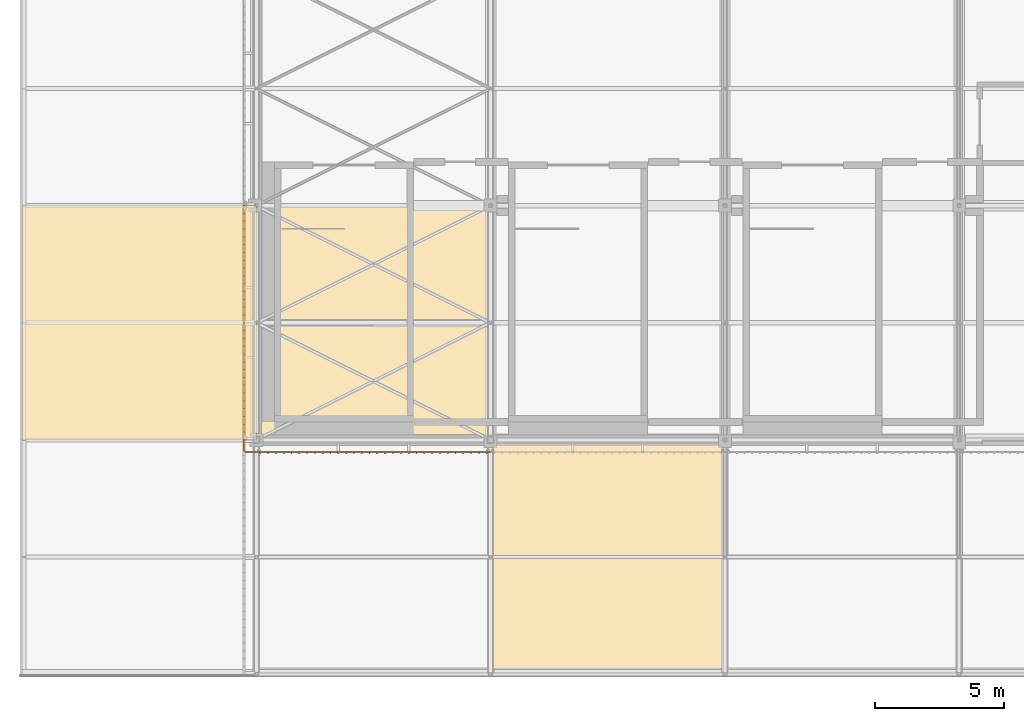
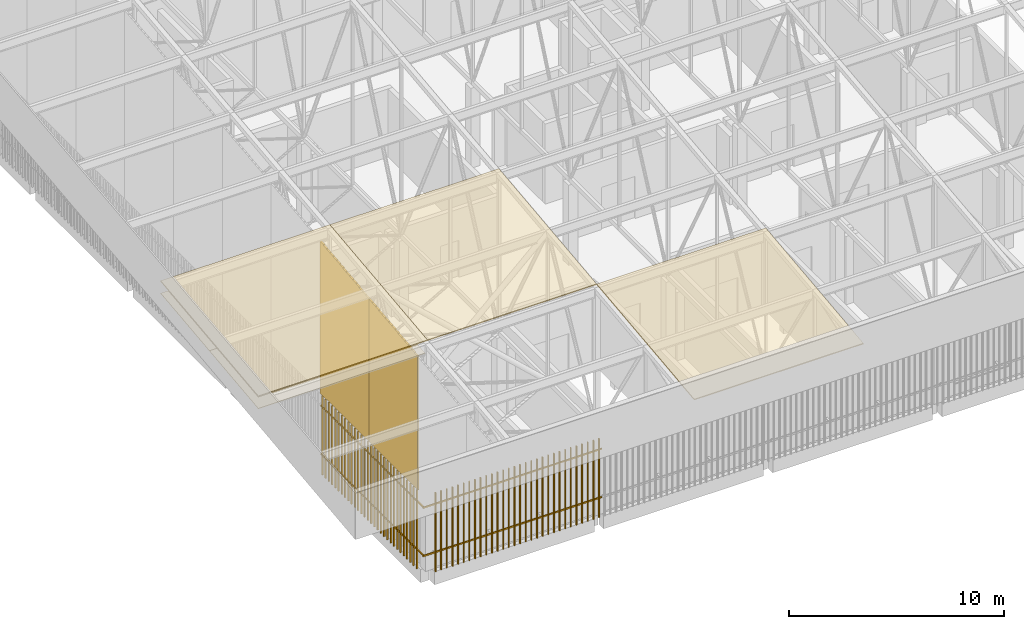
# One storey, part 456 of 500: 5 coverings, 4 shading devices.
"""IFC4 building model written with IfcOpenShell, lengths in metres."""

from ifc_helpers import new_model, si_unit, direction, frame, origin, origin_2d, place, context, subcontext, project, spatial, polyline, rectangle, outline, extrude, material, layer, layer_set, type_object, element, save


model = new_model("IFC4")

# Units and contexts
model_context = context("Model", 3, precision=1e-05, world=origin(), true_north=direction((0.0, 1.0)))
body_context = subcontext(model_context, "Body", "Model", "MODEL_VIEW")
ifc_project = project(units=[si_unit("LENGTHUNIT", "METRE"), si_unit("AREAUNIT", "SQUARE_METRE"), si_unit("VOLUMEUNIT", "CUBIC_METRE"), si_unit("PLANEANGLEUNIT", "RADIAN"), si_unit("MASSUNIT", "GRAM", prefix="KILO")], contexts=[model_context])

# Site, building, storey
site_placement = place(None, origin())
site = spatial("IfcSite", under=ifc_project, at=site_placement, CompositionType="ELEMENT")
building_placement = place(site_placement, origin())
building = spatial("IfcBuilding", under=site, at=building_placement, Name="Shirokan Park Arena", CompositionType="ELEMENT")
storey_placement = place(building_placement, frame((0.0, 0.0, 29.1201171875)))
storey = spatial("IfcBuildingStorey", under=building, at=storey_placement, Name="L06", CompositionType="ELEMENT", Elevation=29.1201171875)

# Coverings
ifc_material_1 = material(Name="Bituminous roofing membrane")
ifc_layer_1 = layer(ifc_material_1, 0.010009765625, Name="Bituminous roofing membrane")
ifc_material_2 = material(Name="Mineral wool insulation")
ifc_layer_2 = layer(ifc_material_2, 0.050048828125, Name="Mineral wool insulation")
ifc_layer_set_1 = layer_set([ifc_layer_1, ifc_layer_2], Name="Bituminous roofing membrane + Mineral wool insulation")
covering_type_1 = type_object("IfcCoveringType", Name="Roofing membrane 60", PredefinedType="ROOFING", material=ifc_layer_set_1)
for number, where, z_axis, x_axis, name in (
    (1, (-9.10009765625, 0.0, 12.9306640625), (0.0, -0.113549598152, 0.993532328996), (1.0, 0.0, 0.0), "Roofing"),
    (2, (0.0, 0.0, 12.9306640625), (0.0, -0.113549598152, 0.993532328996), (1.0, 0.0, 0.0), "Roofing"),
):
    element("IfcCovering", number, at=place(storey_placement, frame(where, z_axis=z_axis, x_axis=x_axis)), inside=storey, type_object=covering_type_1, Name=name, PredefinedType="ROOFING", context=body_context, shape_type="SweptSolid", body=[
        extrude(outline(polyline([(0.0, 0.0), (9.10009765625, 0.0), (9.10009765625, 9.15933723611117), (0.0, 9.15933723611117), (0.0, 0.0)])), origin(), (0.0, 0.0, -1.0), 0.06005859375),
    ])
covering_1_placement = place(storey_placement, frame((9.10009765625, -9.10009765625, 11.890625), z_axis=(0.0, -0.113549598152, 0.993532328996), x_axis=(1.0, 0.0, 0.0)))
element("IfcCovering", 3, at=covering_1_placement, inside=storey, type_object=covering_type_1, Name="Roofing", PredefinedType="ROOFING", context=body_context, shape_type="SweptSolid", body=[
    extrude(outline(polyline([(0.0, 0.0), (9.099853515625, 0.0), (9.099853515625, 9.15933723611117), (0.0, 9.15933723611117), (0.0, 0.0)])), origin(), (0.0, 0.0, -1.0), 0.06005859375),
])
ifc_material_3 = material(Name="Timber soffit boards (cedar)", Category="wood")
ifc_layer_3 = layer(ifc_material_3, 0.030029296875)
ifc_layer_set_2 = layer_set([ifc_layer_3], Name="Timber soffit boards (cedar) 30 mm")
covering_type_2 = type_object("IfcCoveringType", Name="Timber boarded soffit panel", PredefinedType="CLADDING", material=ifc_layer_set_2)
covering_2_placement = place(storey_placement, origin())
element("IfcCovering", 4, at=covering_2_placement, inside=storey, type_object=covering_type_2, Name="Rake soffit west bay 3", PredefinedType="CLADDING", context=body_context, shape_type="SweptSolid", body=[
    extrude(outline(polyline([(0.0, 0.0), (0.11999999999999922, 0.0), (0.11999999999999922, -4.57961788799022), (0.0, -4.57961788799022), (0.0, 0.0)])), frame((-8.97998046875, 0.0, 12.221923828125), z_axis=(0.0, -0.113546591161, 0.993532672656), x_axis=(-1.0, 0.0, 0.0)), (0.0, 0.0, -1.0), 0.030029296875),
    extrude(outline(polyline([(0.0, 0.0), (0.12, 0.0), (0.12, -4.579617887990221), (0.0, -4.579617887990221), (0.0, 0.0)])), frame((-0.2470703125, 4.550048828125, 12.741943359375), z_axis=(0.0, -0.113546591161, 0.993532672656), x_axis=(1.0, 0.0, 0.0)), (0.0, 0.0, -1.0), 0.030029296875),
    extrude(outline(polyline([(0.0, 0.0), (0.12078064455863825, 0.0), (0.12078064455863825, -8.732999999999999), (0.0, -8.732999999999999), (0.0, 0.0)])), frame((-0.2470703125, 4.550048828125, 12.741943359375), z_axis=(0.0, -0.11351156512, 0.993536675007), x_axis=(0.0, -0.993536675007, -0.11351156512)), (0.0, 0.0, -1.0), 0.030029296875),
    extrude(outline(polyline([(0.0, 0.0), (0.12078064455863816, 0.0), (0.12078064455863816, -8.733), (0.0, -8.733), (0.0, 0.0)])), frame((-8.97998046875, 0.0, 12.221923828125), z_axis=(0.0, -0.11351156512, 0.993536675007), x_axis=(0.0, 0.993536675007, 0.11351156512)), (0.0, 0.0, -1.0), 0.030029296875),
    extrude(outline(polyline([(0.0, 0.0), (8.733, 0.0), (8.733, -0.18452428160001005), (0.0, -0.18452428160001005), (0.0, 0.0)])), frame((-8.97998046875, 0.30322265625, 12.256591796875), z_axis=(0.0, -0.113589386818, 0.99352778079), x_axis=(1.0, 0.0, 0.0)), (0.0, 0.0, -1.0), 0.030029296875),
    extrude(outline(polyline([(0.0, 0.0), (8.733, 0.0), (8.733, -0.30531372586243183), (0.0, -0.30531372586243183), (0.0, 0.0)])), frame((-8.97998046875, 0.606689453125, 12.291259765625), z_axis=(0.0, -0.113522573877, 0.993535417195), x_axis=(1.0, 0.0, 0.0)), (0.0, 0.0, -1.0), 0.030029296875),
    extrude(outline(polyline([(0.0, 0.0), (8.733, 0.0), (8.733, -0.3053049259347118), (0.0, -0.3053049259347118), (0.0, 0.0)])), frame((-8.97998046875, 0.909912109375, 12.325927734375), z_axis=(0.0, -0.113558600124, 0.99353130013), x_axis=(1.0, 0.0, 0.0)), (0.0, 0.0, -1.0), 0.030029296875),
    extrude(outline(polyline([(0.0, 0.0), (8.733, 0.0), (8.733, -0.30530492593471265), (0.0, -0.30530492593471265), (0.0, 0.0)])), frame((-8.97998046875, 1.21337890625, 12.360595703125), z_axis=(0.0, -0.113558600124, 0.99353130013), x_axis=(1.0, 0.0, 0.0)), (0.0, 0.0, -1.0), 0.030029296875),
    extrude(outline(polyline([(0.0, 0.0), (8.733, 0.0), (8.733, -0.30531372586243094), (0.0, -0.30531372586243094), (0.0, 0.0)])), frame((-8.97998046875, 1.5166015625, 12.395263671875), z_axis=(0.0, -0.113522573877, 0.993535417195), x_axis=(1.0, 0.0, 0.0)), (0.0, 0.0, -1.0), 0.030029296875),
    extrude(outline(polyline([(0.0, 0.0), (8.733, 0.0), (8.733, -0.3053049259347119), (0.0, -0.3053049259347119), (0.0, 0.0)])), frame((-8.97998046875, 1.820068359375, 12.429931640625), z_axis=(0.0, -0.113558600124, 0.99353130013), x_axis=(1.0, 0.0, 0.0)), (0.0, 0.0, -1.0), 0.030029296875),
    extrude(outline(polyline([(0.0, 0.0), (8.733, 0.0), (8.733, -0.30530492593471276), (0.0, -0.30530492593471276), (0.0, 0.0)])), frame((-8.97998046875, 2.123291015625, 12.464599609375), z_axis=(0.0, -0.113558600124, 0.99353130013), x_axis=(1.0, 0.0, 0.0)), (0.0, 0.0, -1.0), 0.030029296875),
    extrude(outline(polyline([(0.0, 0.0), (8.733, 0.0), (8.733, -0.30531372586243094), (0.0, -0.30531372586243094), (0.0, 0.0)])), frame((-8.97998046875, 2.4267578125, 12.499267578125), z_axis=(0.0, -0.113522573877, 0.993535417195), x_axis=(1.0, 0.0, 0.0)), (0.0, 0.0, -1.0), 0.030029296875),
    extrude(outline(polyline([(0.0, 0.0), (8.733, 0.0), (8.733, -0.30530492593471253), (0.0, -0.30530492593471253), (0.0, 0.0)])), frame((-8.97998046875, 2.72998046875, 12.533935546875), z_axis=(0.0, -0.113558600124, 0.99353130013), x_axis=(1.0, 0.0, 0.0)), (0.0, 0.0, -1.0), 0.030029296875),
    extrude(outline(polyline([(0.0, 0.0), (8.733, 0.0), (8.733, -0.3053049259347117), (0.0, -0.3053049259347117), (0.0, 0.0)])), frame((-8.97998046875, 3.033447265625, 12.568603515625), z_axis=(0.0, -0.113558600124, 0.99353130013), x_axis=(1.0, 0.0, 0.0)), (0.0, 0.0, -1.0), 0.030029296875),
    extrude(outline(polyline([(0.0, 0.0), (8.733, 0.0), (8.733, -0.30531372586243094), (0.0, -0.30531372586243094), (0.0, 0.0)])), frame((-8.97998046875, 3.336669921875, 12.603271484375), z_axis=(0.0, -0.113522573877, 0.993535417195), x_axis=(1.0, 0.0, 0.0)), (0.0, 0.0, -1.0), 0.030029296875),
    extrude(outline(polyline([(0.0, 0.0), (8.733, 0.0), (8.733, -0.305304925934713), (0.0, -0.305304925934713), (0.0, 0.0)])), frame((-8.97998046875, 3.639892578125, 12.637939453125), z_axis=(0.0, -0.113558600124, 0.99353130013), x_axis=(1.0, 0.0, 0.0)), (0.0, 0.0, -1.0), 0.030029296875),
    extrude(outline(polyline([(0.0, 0.0), (8.733, 0.0), (8.733, -0.3053049259347117), (0.0, -0.3053049259347117), (0.0, 0.0)])), frame((-8.97998046875, 3.943359375, 12.672607421875), z_axis=(0.0, -0.113558600124, 0.99353130013), x_axis=(1.0, 0.0, 0.0)), (0.0, 0.0, -1.0), 0.030029296875),
    extrude(outline(polyline([(0.0, 0.0), (8.733, 0.0), (8.733, -0.3053137258624317), (0.0, -0.3053137258624317), (0.0, 0.0)])), frame((-8.97998046875, 4.24658203125, 12.707275390625), z_axis=(0.0, -0.113522573877, 0.993535417195), x_axis=(1.0, 0.0, 0.0)), (0.0, 0.0, -1.0), 0.030029296875),
    extrude(outline(polyline([(0.0, 0.0), (8.733, 0.0), (8.733, -0.1845242816000098), (0.0, -0.1845242816000098), (0.0, 0.0)])), frame((-8.97998046875, 4.429931640625, 12.728271484375), z_axis=(0.0, -0.113589386818, 0.99352778079), x_axis=(1.0, 0.0, 0.0)), (0.0, 0.0, -1.0), 0.030029296875),
])
covering_3_placement = place(storey_placement, origin())
element("IfcCovering", 5, at=covering_3_placement, inside=storey, type_object=covering_type_2, Name="Rake soffit west bay 4", PredefinedType="CLADDING", context=body_context, shape_type="SweptSolid", body=[
    extrude(outline(polyline([(0.0, 0.0), (0.11999999999999922, 0.0), (0.11999999999999922, -4.579617887990218), (0.0, -4.579617887990218), (0.0, 0.0)])), frame((-8.97998046875, 4.550048828125, 12.741943359375), z_axis=(0.0, -0.113546591161, 0.993532672656), x_axis=(-1.0, 0.0, 0.0)), (0.0, 0.0, -1.0), 0.030029296875),
    extrude(outline(polyline([(0.0, 0.0), (0.12, 0.0), (0.12, -4.579617887990219), (0.0, -4.579617887990219), (0.0, 0.0)])), frame((-0.2470703125, 9.10009765625, 13.261962890625), z_axis=(0.0, -0.113546591161, 0.993532672656), x_axis=(1.0, 0.0, 0.0)), (0.0, 0.0, -1.0), 0.030029296875),
    extrude(outline(polyline([(0.0, 0.0), (0.12078064455863657, 0.0), (0.12078064455863657, -8.733), (0.0, -8.733), (0.0, 0.0)])), frame((-0.2470703125, 9.10009765625, 13.261962890625), z_axis=(0.0, -0.11351156512, 0.993536675007), x_axis=(0.0, -0.993536675007, -0.11351156512)), (0.0, 0.0, -1.0), 0.030029296875),
    extrude(outline(polyline([(0.0, 0.0), (0.12078064455863746, 0.0), (0.12078064455863746, -8.733), (0.0, -8.733), (0.0, 0.0)])), frame((-8.97998046875, 4.550048828125, 12.741943359375), z_axis=(0.0, -0.11351156512, 0.993536675007), x_axis=(0.0, 0.993536675007, 0.11351156512)), (0.0, 0.0, -1.0), 0.030029296875),
    extrude(outline(polyline([(0.0, 0.0), (8.733, 0.0), (8.733, -0.1845242816000106), (0.0, -0.1845242816000106), (0.0, 0.0)])), frame((-8.97998046875, 4.853271484375, 12.776611328125), z_axis=(0.0, -0.113589386818, 0.99352778079), x_axis=(1.0, 0.0, 0.0)), (0.0, 0.0, -1.0), 0.030029296875),
    extrude(outline(polyline([(0.0, 0.0), (8.733, 0.0), (8.733, -0.3053137258624322), (0.0, -0.3053137258624322), (0.0, 0.0)])), frame((-8.97998046875, 5.15673828125, 12.811279296875), z_axis=(0.0, -0.113522573877, 0.993535417195), x_axis=(1.0, 0.0, 0.0)), (0.0, 0.0, -1.0), 0.030029296875),
    extrude(outline(polyline([(0.0, 0.0), (8.733, 0.0), (8.733, -0.3053049259347117), (0.0, -0.3053049259347117), (0.0, 0.0)])), frame((-8.97998046875, 5.4599609375, 12.845947265625), z_axis=(0.0, -0.113558600124, 0.99353130013), x_axis=(1.0, 0.0, 0.0)), (0.0, 0.0, -1.0), 0.030029296875),
    extrude(outline(polyline([(0.0, 0.0), (8.733, 0.0), (8.733, -0.3053049259347117), (0.0, -0.3053049259347117), (0.0, 0.0)])), frame((-8.97998046875, 5.763427734375, 12.880615234375), z_axis=(0.0, -0.113558600124, 0.99353130013), x_axis=(1.0, 0.0, 0.0)), (0.0, 0.0, -1.0), 0.030029296875),
    extrude(outline(polyline([(0.0, 0.0), (8.733, 0.0), (8.733, -0.3053137258624322), (0.0, -0.3053137258624322), (0.0, 0.0)])), frame((-8.97998046875, 6.066650390625, 12.915283203125), z_axis=(0.0, -0.113522573877, 0.993535417195), x_axis=(1.0, 0.0, 0.0)), (0.0, 0.0, -1.0), 0.030029296875),
    extrude(outline(polyline([(0.0, 0.0), (8.733, 0.0), (8.733, -0.3053049259347117), (0.0, -0.3053049259347117), (0.0, 0.0)])), frame((-8.97998046875, 6.3701171875, 12.949951171875), z_axis=(0.0, -0.113558600124, 0.99353130013), x_axis=(1.0, 0.0, 0.0)), (0.0, 0.0, -1.0), 0.030029296875),
    extrude(outline(polyline([(0.0, 0.0), (8.733, 0.0), (8.733, -0.3053049259347117), (0.0, -0.3053049259347117), (0.0, 0.0)])), frame((-8.97998046875, 6.67333984375, 12.984619140625), z_axis=(0.0, -0.113558600124, 0.99353130013), x_axis=(1.0, 0.0, 0.0)), (0.0, 0.0, -1.0), 0.030029296875),
    extrude(outline(polyline([(0.0, 0.0), (8.733, 0.0), (8.733, -0.3053137258624322), (0.0, -0.3053137258624322), (0.0, 0.0)])), frame((-8.97998046875, 6.9765625, 13.019287109375), z_axis=(0.0, -0.113522573877, 0.993535417195), x_axis=(1.0, 0.0, 0.0)), (0.0, 0.0, -1.0), 0.030029296875),
    extrude(outline(polyline([(0.0, 0.0), (8.733, 0.0), (8.733, -0.3053049259347117), (0.0, -0.3053049259347117), (0.0, 0.0)])), frame((-8.97998046875, 7.280029296875, 13.053955078125), z_axis=(0.0, -0.113558600124, 0.99353130013), x_axis=(1.0, 0.0, 0.0)), (0.0, 0.0, -1.0), 0.030029296875),
    extrude(outline(polyline([(0.0, 0.0), (8.733, 0.0), (8.733, -0.3053049259347117), (0.0, -0.3053049259347117), (0.0, 0.0)])), frame((-8.97998046875, 7.583251953125, 13.088623046875), z_axis=(0.0, -0.113558600124, 0.99353130013), x_axis=(1.0, 0.0, 0.0)), (0.0, 0.0, -1.0), 0.030029296875),
    extrude(outline(polyline([(0.0, 0.0), (8.733, 0.0), (8.733, -0.30531372586243133), (0.0, -0.30531372586243133), (0.0, 0.0)])), frame((-8.97998046875, 7.88671875, 13.123291015625), z_axis=(0.0, -0.113522573877, 0.993535417195), x_axis=(1.0, 0.0, 0.0)), (0.0, 0.0, -1.0), 0.030029296875),
    extrude(outline(polyline([(0.0, 0.0), (8.733, 0.0), (8.733, -0.30530492593471176), (0.0, -0.30530492593471176), (0.0, 0.0)])), frame((-8.97998046875, 8.18994140625, 13.157958984375), z_axis=(0.0, -0.113558600124, 0.99353130013), x_axis=(1.0, 0.0, 0.0)), (0.0, 0.0, -1.0), 0.030029296875),
    extrude(outline(polyline([(0.0, 0.0), (8.733, 0.0), (8.733, -0.3053049259347126), (0.0, -0.3053049259347126), (0.0, 0.0)])), frame((-8.97998046875, 8.493408203125, 13.192626953125), z_axis=(0.0, -0.113558600124, 0.99353130013), x_axis=(1.0, 0.0, 0.0)), (0.0, 0.0, -1.0), 0.030029296875),
    extrude(outline(polyline([(0.0, 0.0), (8.733, 0.0), (8.733, -0.3053137258624322), (0.0, -0.3053137258624322), (0.0, 0.0)])), frame((-8.97998046875, 8.796630859375, 13.227294921875), z_axis=(0.0, -0.113522573877, 0.993535417195), x_axis=(1.0, 0.0, 0.0)), (0.0, 0.0, -1.0), 0.030029296875),
    extrude(outline(polyline([(0.0, 0.0), (8.733, 0.0), (8.733, -0.1845242816000106), (0.0, -0.1845242816000106), (0.0, 0.0)])), frame((-8.97998046875, 8.97998046875, 13.248291015625), z_axis=(0.0, -0.113589386818, 0.99352778079), x_axis=(1.0, 0.0, 0.0)), (0.0, 0.0, -1.0), 0.030029296875),
])

# Shading devices
ifc_material_4 = material(Name="Timber louvre veil (cedar)", Category="wood")
shading_device_type_1 = type_object("IfcShadingDeviceType", Name="Timber louvre veil panel", PredefinedType="JALOUSIE", material=ifc_material_4)
shading_device_1_placement = place(storey_placement, origin())
element("IfcShadingDevice", 6, at=shading_device_1_placement, inside=storey, type_object=shading_device_type_1, Name="Timber louvre veil south bay 1 L06", PredefinedType="JALOUSIE", context=body_context, shape_type="SweptSolid", body=[
    extrude(rectangle(XDim=0.050048828125, YDim=0.080078125, at=origin_2d()), frame((0.151611328125, -0.485107421875, 0.0), z_axis=(0.0, 0.0, 1.0), x_axis=(1.0, 0.0, 0.0)), (0.0, 0.0, 1.0), 4.5),
    extrude(rectangle(XDim=0.050048828125, YDim=0.080078125, at=origin_2d()), frame((0.455078125, -0.485107421875, 0.0), z_axis=(0.0, 0.0, 1.0), x_axis=(1.0, 0.0, 0.0)), (0.0, 0.0, 1.0), 4.5),
    extrude(rectangle(XDim=0.050048828125, YDim=0.080078125, at=origin_2d()), frame((0.75830078125, -0.485107421875, 0.0), z_axis=(0.0, 0.0, 1.0), x_axis=(1.0, 0.0, 0.0)), (0.0, 0.0, 1.0), 4.5),
    extrude(rectangle(XDim=0.050048828125, YDim=0.080078125, at=origin_2d()), frame((1.061767578125, -0.485107421875, 0.0), z_axis=(0.0, 0.0, 1.0), x_axis=(1.0, 0.0, 0.0)), (0.0, 0.0, 1.0), 4.5),
    extrude(rectangle(XDim=0.050048828125, YDim=0.080078125, at=origin_2d()), frame((1.364990234375, -0.485107421875, 0.0), z_axis=(0.0, 0.0, 1.0), x_axis=(1.0, 0.0, 0.0)), (0.0, 0.0, 1.0), 4.5),
    extrude(rectangle(XDim=0.050048828125, YDim=0.080078125, at=origin_2d()), frame((1.668212890625, -0.485107421875, 0.0), z_axis=(0.0, 0.0, 1.0), x_axis=(1.0, 0.0, 0.0)), (0.0, 0.0, 1.0), 4.5),
    extrude(rectangle(XDim=0.050048828125, YDim=0.080078125, at=origin_2d()), frame((1.9716796875, -0.485107421875, 0.0), z_axis=(0.0, 0.0, 1.0), x_axis=(1.0, 0.0, 0.0)), (0.0, 0.0, 1.0), 4.5),
    extrude(rectangle(XDim=0.050048828125, YDim=0.080078125, at=origin_2d()), frame((2.27490234375, -0.485107421875, 0.0), z_axis=(0.0, 0.0, 1.0), x_axis=(1.0, 0.0, 0.0)), (0.0, 0.0, 1.0), 4.5),
    extrude(rectangle(XDim=0.050048828125, YDim=0.080078125, at=origin_2d()), frame((2.578369140625, -0.485107421875, 0.0), z_axis=(0.0, 0.0, 1.0), x_axis=(1.0, 0.0, 0.0)), (0.0, 0.0, 1.0), 4.5),
    extrude(rectangle(XDim=0.050048828125, YDim=0.080078125, at=origin_2d()), frame((2.881591796875, -0.485107421875, 0.0), z_axis=(0.0, 0.0, 1.0), x_axis=(1.0, 0.0, 0.0)), (0.0, 0.0, 1.0), 4.5),
    extrude(rectangle(XDim=0.050048828125, YDim=0.080078125, at=origin_2d()), frame((3.18505859375, -0.485107421875, 0.0), z_axis=(0.0, 0.0, 1.0), x_axis=(1.0, 0.0, 0.0)), (0.0, 0.0, 1.0), 4.5),
    extrude(rectangle(XDim=0.050048828125, YDim=0.080078125, at=origin_2d()), frame((3.48828125, -0.485107421875, 0.0), z_axis=(0.0, 0.0, 1.0), x_axis=(1.0, 0.0, 0.0)), (0.0, 0.0, 1.0), 4.5),
    extrude(rectangle(XDim=0.050048828125, YDim=0.080078125, at=origin_2d()), frame((3.791748046875, -0.485107421875, 0.0), z_axis=(0.0, 0.0, 1.0), x_axis=(1.0, 0.0, 0.0)), (0.0, 0.0, 1.0), 4.5),
    extrude(rectangle(XDim=0.050048828125, YDim=0.080078125, at=origin_2d()), frame((4.094970703125, -0.485107421875, 0.0), z_axis=(0.0, 0.0, 1.0), x_axis=(1.0, 0.0, 0.0)), (0.0, 0.0, 1.0), 4.5),
    extrude(rectangle(XDim=0.050048828125, YDim=0.080078125, at=origin_2d()), frame((4.3984375, -0.485107421875, 0.0), z_axis=(0.0, 0.0, 1.0), x_axis=(1.0, 0.0, 0.0)), (0.0, 0.0, 1.0), 4.5),
    extrude(rectangle(XDim=0.050048828125, YDim=0.080078125, at=origin_2d()), frame((4.70166015625, -0.485107421875, 0.0), z_axis=(0.0, 0.0, 1.0), x_axis=(1.0, 0.0, 0.0)), (0.0, 0.0, 1.0), 4.5),
    extrude(rectangle(XDim=0.050048828125, YDim=0.080078125, at=origin_2d()), frame((5.0048828125, -0.485107421875, 0.0), z_axis=(0.0, 0.0, 1.0), x_axis=(1.0, 0.0, 0.0)), (0.0, 0.0, 1.0), 4.5),
    extrude(rectangle(XDim=0.050048828125, YDim=0.080078125, at=origin_2d()), frame((5.308349609375, -0.485107421875, 0.0), z_axis=(0.0, 0.0, 1.0), x_axis=(1.0, 0.0, 0.0)), (0.0, 0.0, 1.0), 4.5),
    extrude(rectangle(XDim=0.050048828125, YDim=0.080078125, at=origin_2d()), frame((5.611572265625, -0.485107421875, 0.0), z_axis=(0.0, 0.0, 1.0), x_axis=(1.0, 0.0, 0.0)), (0.0, 0.0, 1.0), 4.5),
    extrude(rectangle(XDim=0.050048828125, YDim=0.080078125, at=origin_2d()), frame((5.9150390625, -0.485107421875, 0.0), z_axis=(0.0, 0.0, 1.0), x_axis=(1.0, 0.0, 0.0)), (0.0, 0.0, 1.0), 4.5),
    extrude(rectangle(XDim=0.050048828125, YDim=0.080078125, at=origin_2d()), frame((6.21826171875, -0.485107421875, 0.0), z_axis=(0.0, 0.0, 1.0), x_axis=(1.0, 0.0, 0.0)), (0.0, 0.0, 1.0), 4.5),
    extrude(rectangle(XDim=0.050048828125, YDim=0.080078125, at=origin_2d()), frame((6.521728515625, -0.485107421875, 0.0), z_axis=(0.0, 0.0, 1.0), x_axis=(1.0, 0.0, 0.0)), (0.0, 0.0, 1.0), 4.5),
    extrude(rectangle(XDim=0.050048828125, YDim=0.080078125, at=origin_2d()), frame((6.824951171875, -0.485107421875, 0.0), z_axis=(0.0, 0.0, 1.0), x_axis=(1.0, 0.0, 0.0)), (0.0, 0.0, 1.0), 4.5),
    extrude(rectangle(XDim=0.050048828125, YDim=0.080078125, at=origin_2d()), frame((7.12841796875, -0.485107421875, 0.0), z_axis=(0.0, 0.0, 1.0), x_axis=(1.0, 0.0, 0.0)), (0.0, 0.0, 1.0), 4.5),
    extrude(rectangle(XDim=0.050048828125, YDim=0.080078125, at=origin_2d()), frame((7.431640625, -0.485107421875, 0.0), z_axis=(0.0, 0.0, 1.0), x_axis=(1.0, 0.0, 0.0)), (0.0, 0.0, 1.0), 4.5),
    extrude(rectangle(XDim=0.050048828125, YDim=0.080078125, at=origin_2d()), frame((7.735107421875, -0.485107421875, 0.0), z_axis=(0.0, 0.0, 1.0), x_axis=(1.0, 0.0, 0.0)), (0.0, 0.0, 1.0), 4.5),
    extrude(rectangle(XDim=0.050048828125, YDim=0.080078125, at=origin_2d()), frame((8.038330078125, -0.485107421875, 0.0), z_axis=(0.0, 0.0, 1.0), x_axis=(1.0, 0.0, 0.0)), (0.0, 0.0, 1.0), 4.5),
    extrude(rectangle(XDim=0.050048828125, YDim=0.080078125, at=origin_2d()), frame((8.341552734375, -0.485107421875, 0.0), z_axis=(0.0, 0.0, 1.0), x_axis=(1.0, 0.0, 0.0)), (0.0, 0.0, 1.0), 4.5),
    extrude(rectangle(XDim=0.050048828125, YDim=0.080078125, at=origin_2d()), frame((8.64501953125, -0.485107421875, 0.0), z_axis=(0.0, 0.0, 1.0), x_axis=(1.0, 0.0, 0.0)), (0.0, 0.0, 1.0), 4.5),
    extrude(rectangle(XDim=0.050048828125, YDim=0.080078125, at=origin_2d()), frame((8.9482421875, -0.485107421875, 0.0), z_axis=(0.0, 0.0, 1.0), x_axis=(1.0, 0.0, 0.0)), (0.0, 0.0, 1.0), 4.5),
    extrude(rectangle(XDim=9.625, YDim=0.050048828125, at=origin_2d()), frame((4.28759765625, -0.469970703125, 1.059814453125), z_axis=(0.0, 0.0, 1.0), x_axis=(1.0, 0.0, 0.0)), (0.0, 0.0, 1.0), 0.080078125),
    extrude(rectangle(XDim=9.625, YDim=0.050048828125, at=origin_2d()), frame((4.28759765625, -0.469970703125, 3.809814453125), z_axis=(0.0, 0.0, 1.0), x_axis=(1.0, 0.0, 0.0)), (0.0, 0.0, 1.0), 0.080078125),
])
shading_device_2_placement = place(storey_placement, origin())
element("IfcShadingDevice", 7, at=shading_device_2_placement, inside=storey, type_object=shading_device_type_1, Name="Timber louvre veil west bay 12 L06", PredefinedType="JALOUSIE", context=body_context, shape_type="SweptSolid", body=[
    extrude(rectangle(XDim=0.050048828125, YDim=0.080078125, at=origin_2d()), frame((-0.485107421875, 8.9482421875, 0.0), z_axis=(0.0, 0.0, 1.0), x_axis=(0.0, -1.0, 0.0)), (0.0, 0.0, 1.0), 4.5),
    extrude(rectangle(XDim=0.050048828125, YDim=0.080078125, at=origin_2d()), frame((-0.485107421875, 8.64501953125, 0.0), z_axis=(0.0, 0.0, 1.0), x_axis=(0.0, -1.0, 0.0)), (0.0, 0.0, 1.0), 4.5),
    extrude(rectangle(XDim=0.050048828125, YDim=0.080078125, at=origin_2d()), frame((-0.485107421875, 8.341552734375, 0.0), z_axis=(0.0, 0.0, 1.0), x_axis=(0.0, -1.0, 0.0)), (0.0, 0.0, 1.0), 4.5),
    extrude(rectangle(XDim=0.050048828125, YDim=0.080078125, at=origin_2d()), frame((-0.485107421875, 8.038330078125, 0.0), z_axis=(0.0, 0.0, 1.0), x_axis=(0.0, -1.0, 0.0)), (0.0, 0.0, 1.0), 4.5),
    extrude(rectangle(XDim=0.050048828125, YDim=0.080078125, at=origin_2d()), frame((-0.485107421875, 7.735107421875, 0.0), z_axis=(0.0, 0.0, 1.0), x_axis=(0.0, -1.0, 0.0)), (0.0, 0.0, 1.0), 4.5),
    extrude(rectangle(XDim=0.050048828125, YDim=0.080078125, at=origin_2d()), frame((-0.485107421875, 7.431640625, 0.0), z_axis=(0.0, 0.0, 1.0), x_axis=(0.0, -1.0, 0.0)), (0.0, 0.0, 1.0), 4.5),
    extrude(rectangle(XDim=0.050048828125, YDim=0.080078125, at=origin_2d()), frame((-0.485107421875, 7.12841796875, 0.0), z_axis=(0.0, 0.0, 1.0), x_axis=(0.0, -1.0, 0.0)), (0.0, 0.0, 1.0), 4.5),
    extrude(rectangle(XDim=0.050048828125, YDim=0.080078125, at=origin_2d()), frame((-0.485107421875, 6.824951171875, 0.0), z_axis=(0.0, 0.0, 1.0), x_axis=(0.0, -1.0, 0.0)), (0.0, 0.0, 1.0), 4.5),
    extrude(rectangle(XDim=0.050048828125, YDim=0.080078125, at=origin_2d()), frame((-0.485107421875, 6.521728515625, 0.0), z_axis=(0.0, 0.0, 1.0), x_axis=(0.0, -1.0, 0.0)), (0.0, 0.0, 1.0), 4.5),
    extrude(rectangle(XDim=0.050048828125, YDim=0.080078125, at=origin_2d()), frame((-0.485107421875, 6.21826171875, 0.0), z_axis=(0.0, 0.0, 1.0), x_axis=(0.0, -1.0, 0.0)), (0.0, 0.0, 1.0), 4.5),
    extrude(rectangle(XDim=0.050048828125, YDim=0.080078125, at=origin_2d()), frame((-0.485107421875, 5.9150390625, 0.0), z_axis=(0.0, 0.0, 1.0), x_axis=(0.0, -1.0, 0.0)), (0.0, 0.0, 1.0), 4.5),
    extrude(rectangle(XDim=0.050048828125, YDim=0.080078125, at=origin_2d()), frame((-0.485107421875, 5.611572265625, 0.0), z_axis=(0.0, 0.0, 1.0), x_axis=(0.0, -1.0, 0.0)), (0.0, 0.0, 1.0), 4.5),
    extrude(rectangle(XDim=0.050048828125, YDim=0.080078125, at=origin_2d()), frame((-0.485107421875, 5.308349609375, 0.0), z_axis=(0.0, 0.0, 1.0), x_axis=(0.0, -1.0, 0.0)), (0.0, 0.0, 1.0), 4.5),
    extrude(rectangle(XDim=0.050048828125, YDim=0.080078125, at=origin_2d()), frame((-0.485107421875, 5.0048828125, 0.0), z_axis=(0.0, 0.0, 1.0), x_axis=(0.0, -1.0, 0.0)), (0.0, 0.0, 1.0), 4.5),
    extrude(rectangle(XDim=0.050048828125, YDim=0.080078125, at=origin_2d()), frame((-0.485107421875, 4.70166015625, 0.0), z_axis=(0.0, 0.0, 1.0), x_axis=(0.0, -1.0, 0.0)), (0.0, 0.0, 1.0), 4.5),
    extrude(rectangle(XDim=0.050048828125, YDim=0.080078125, at=origin_2d()), frame((-0.485107421875, 4.3984375, 0.0), z_axis=(0.0, 0.0, 1.0), x_axis=(0.0, -1.0, 0.0)), (0.0, 0.0, 1.0), 4.5),
    extrude(rectangle(XDim=0.050048828125, YDim=0.080078125, at=origin_2d()), frame((-0.485107421875, 4.094970703125, 0.0), z_axis=(0.0, 0.0, 1.0), x_axis=(0.0, -1.0, 0.0)), (0.0, 0.0, 1.0), 4.5),
    extrude(rectangle(XDim=0.050048828125, YDim=0.080078125, at=origin_2d()), frame((-0.485107421875, 3.791748046875, 0.0), z_axis=(0.0, 0.0, 1.0), x_axis=(0.0, -1.0, 0.0)), (0.0, 0.0, 1.0), 4.5),
    extrude(rectangle(XDim=0.050048828125, YDim=0.080078125, at=origin_2d()), frame((-0.485107421875, 3.48828125, 0.0), z_axis=(0.0, 0.0, 1.0), x_axis=(0.0, -1.0, 0.0)), (0.0, 0.0, 1.0), 4.5),
    extrude(rectangle(XDim=0.050048828125, YDim=0.080078125, at=origin_2d()), frame((-0.485107421875, 3.18505859375, 0.0), z_axis=(0.0, 0.0, 1.0), x_axis=(0.0, -1.0, 0.0)), (0.0, 0.0, 1.0), 4.5),
    extrude(rectangle(XDim=0.050048828125, YDim=0.080078125, at=origin_2d()), frame((-0.485107421875, 2.881591796875, 0.0), z_axis=(0.0, 0.0, 1.0), x_axis=(0.0, -1.0, 0.0)), (0.0, 0.0, 1.0), 4.5),
    extrude(rectangle(XDim=0.050048828125, YDim=0.080078125, at=origin_2d()), frame((-0.485107421875, 2.578369140625, 0.0), z_axis=(0.0, 0.0, 1.0), x_axis=(0.0, -1.0, 0.0)), (0.0, 0.0, 1.0), 4.5),
    extrude(rectangle(XDim=0.050048828125, YDim=0.080078125, at=origin_2d()), frame((-0.485107421875, 2.27490234375, 0.0), z_axis=(0.0, 0.0, 1.0), x_axis=(0.0, -1.0, 0.0)), (0.0, 0.0, 1.0), 4.5),
    extrude(rectangle(XDim=0.050048828125, YDim=0.080078125, at=origin_2d()), frame((-0.485107421875, 1.9716796875, 0.0), z_axis=(0.0, 0.0, 1.0), x_axis=(0.0, -1.0, 0.0)), (0.0, 0.0, 1.0), 4.5),
    extrude(rectangle(XDim=0.050048828125, YDim=0.080078125, at=origin_2d()), frame((-0.485107421875, 1.668212890625, 0.0), z_axis=(0.0, 0.0, 1.0), x_axis=(0.0, -1.0, 0.0)), (0.0, 0.0, 1.0), 4.5),
    extrude(rectangle(XDim=0.050048828125, YDim=0.080078125, at=origin_2d()), frame((-0.485107421875, 1.364990234375, 0.0), z_axis=(0.0, 0.0, 1.0), x_axis=(0.0, -1.0, 0.0)), (0.0, 0.0, 1.0), 4.5),
    extrude(rectangle(XDim=0.050048828125, YDim=0.080078125, at=origin_2d()), frame((-0.485107421875, 1.061767578125, 0.0), z_axis=(0.0, 0.0, 1.0), x_axis=(0.0, -1.0, 0.0)), (0.0, 0.0, 1.0), 4.5),
    extrude(rectangle(XDim=0.050048828125, YDim=0.080078125, at=origin_2d()), frame((-0.485107421875, 0.75830078125, 0.0), z_axis=(0.0, 0.0, 1.0), x_axis=(0.0, -1.0, 0.0)), (0.0, 0.0, 1.0), 4.5),
    extrude(rectangle(XDim=0.050048828125, YDim=0.080078125, at=origin_2d()), frame((-0.485107421875, 0.455078125, 0.0), z_axis=(0.0, 0.0, 1.0), x_axis=(0.0, -1.0, 0.0)), (0.0, 0.0, 1.0), 4.5),
    extrude(rectangle(XDim=0.050048828125, YDim=0.080078125, at=origin_2d()), frame((-0.485107421875, 0.151611328125, 0.0), z_axis=(0.0, 0.0, 1.0), x_axis=(0.0, -1.0, 0.0)), (0.0, 0.0, 1.0), 4.5),
    extrude(rectangle(XDim=9.544921875, YDim=0.050048828125, at=origin_2d()), frame((-0.469970703125, 4.327392578125, 1.059814453125), z_axis=(0.0, 0.0, 1.0), x_axis=(0.0, -1.0, 0.0)), (0.0, 0.0, 1.0), 0.080078125),
    extrude(rectangle(XDim=9.544921875, YDim=0.050048828125, at=origin_2d()), frame((-0.469970703125, 4.327392578125, 3.809814453125), z_axis=(0.0, 0.0, 1.0), x_axis=(0.0, -1.0, 0.0)), (0.0, 0.0, 1.0), 0.080078125),
])
shading_device_type_2 = type_object("IfcShadingDeviceType", Name="Timber louvre veil panel, gable band, closed", PredefinedType="JALOUSIE", material=ifc_material_4)
shading_device_3_placement = place(storey_placement, origin())
element("IfcShadingDevice", 8, at=shading_device_3_placement, inside=storey, type_object=shading_device_type_2, Name="Timber louvre veil gable band west bay 3", PredefinedType="JALOUSIE", context=body_context, shape_type="SweptSolid", body=[
    extrude(outline(polyline([(0.30322265625, 12.19189453125), (0.0, 12.19189453125), (0.0, 4.575927734375), (4.550048828125, 4.575927734375), (4.550048828125, 12.67724609375), (4.24658203125, 12.67724609375), (4.24658203125, 12.642578125), (3.943359375, 12.642578125), (3.943359375, 12.60791015625), (3.639892578125, 12.60791015625), (3.639892578125, 12.5732421875), (3.336669921875, 12.5732421875), (3.336669921875, 12.53857421875), (3.033447265625, 12.53857421875), (3.033447265625, 12.50390625), (2.72998046875, 12.50390625), (2.72998046875, 12.46923828125), (2.4267578125, 12.46923828125), (2.4267578125, 12.4345703125), (2.123291015625, 12.4345703125), (2.123291015625, 12.39990234375), (1.820068359375, 12.39990234375), (1.820068359375, 12.365234375), (1.5166015625, 12.365234375), (1.5166015625, 12.33056640625), (1.21337890625, 12.33056640625), (1.21337890625, 12.2958984375), (0.909912109375, 12.2958984375), (0.909912109375, 12.26123046875), (0.606689453125, 12.26123046875), (0.606689453125, 12.2265625), (0.30322265625, 12.2265625), (0.30322265625, 12.19189453125)])), frame((-0.525146484375, 0.0, 0.0), z_axis=(1.0, 0.0, 0.0), x_axis=(0.0, 1.0, 0.0)), (0.0, 0.0, 1.0), 0.080078125),
    extrude(rectangle(XDim=0.050048828125, YDim=4.550048828125, at=origin_2d()), frame((-0.469970703125, 2.27490234375, 4.98583984375), z_axis=(0.0, 0.0, 1.0), x_axis=(1.0, 0.0, 0.0)), (0.0, 0.0, 1.0), 0.080078125),
    extrude(rectangle(XDim=0.050048828125, YDim=4.550048828125, at=origin_2d()), frame((-0.469970703125, 2.27490234375, 8.34375), z_axis=(0.0, 0.0, 1.0), x_axis=(1.0, 0.0, 0.0)), (0.0, 0.0, 1.0), 0.080078125),
    extrude(rectangle(XDim=0.050048828125, YDim=4.550048828125, at=origin_2d()), frame((-0.469970703125, 2.27490234375, 12.0517578125), z_axis=(0.0, 0.0, 1.0), x_axis=(1.0, 0.0, 0.0)), (0.0, 0.0, 1.0), 0.080078125),
])
shading_device_4_placement = place(storey_placement, origin())
element("IfcShadingDevice", 9, at=shading_device_4_placement, inside=storey, type_object=shading_device_type_2, Name="Timber louvre veil gable band west bay 4", PredefinedType="JALOUSIE", context=body_context, shape_type="SweptSolid", body=[
    extrude(outline(polyline([(4.853271484375, 12.7119140625), (4.550048828125, 12.7119140625), (4.550048828125, 4.575927734375), (9.10009765625, 4.575927734375), (9.10009765625, 13.197265625), (8.796630859375, 13.197265625), (8.796630859375, 13.16259765625), (8.493408203125, 13.16259765625), (8.493408203125, 13.1279296875), (8.18994140625, 13.1279296875), (8.18994140625, 13.09326171875), (7.88671875, 13.09326171875), (7.88671875, 13.05859375), (7.583251953125, 13.05859375), (7.583251953125, 13.02392578125), (7.280029296875, 13.02392578125), (7.280029296875, 12.9892578125), (6.9765625, 12.9892578125), (6.9765625, 12.95458984375), (6.67333984375, 12.95458984375), (6.67333984375, 12.919921875), (6.3701171875, 12.919921875), (6.3701171875, 12.88525390625), (6.066650390625, 12.88525390625), (6.066650390625, 12.8505859375), (5.763427734375, 12.8505859375), (5.763427734375, 12.81591796875), (5.4599609375, 12.81591796875), (5.4599609375, 12.78125), (5.15673828125, 12.78125), (5.15673828125, 12.74658203125), (4.853271484375, 12.74658203125), (4.853271484375, 12.7119140625)])), frame((-0.525146484375, 0.0, 0.0), z_axis=(1.0, 0.0, 0.0), x_axis=(0.0, 1.0, 0.0)), (0.0, 0.0, 1.0), 0.080078125),
    extrude(rectangle(XDim=0.050048828125, YDim=4.550048828125, at=origin_2d()), frame((-0.469970703125, 6.824951171875, 4.98583984375), z_axis=(0.0, 0.0, 1.0), x_axis=(1.0, 0.0, 0.0)), (0.0, 0.0, 1.0), 0.080078125),
    extrude(rectangle(XDim=0.050048828125, YDim=4.550048828125, at=origin_2d()), frame((-0.469970703125, 6.824951171875, 8.603759765625), z_axis=(0.0, 0.0, 1.0), x_axis=(1.0, 0.0, 0.0)), (0.0, 0.0, 1.0), 0.080078125),
    extrude(rectangle(XDim=0.050048828125, YDim=4.550048828125, at=origin_2d()), frame((-0.469970703125, 6.824951171875, 12.57177734375), z_axis=(0.0, 0.0, 1.0), x_axis=(1.0, 0.0, 0.0)), (0.0, 0.0, 1.0), 0.080078125),
])

save(model, "model.ifc")
